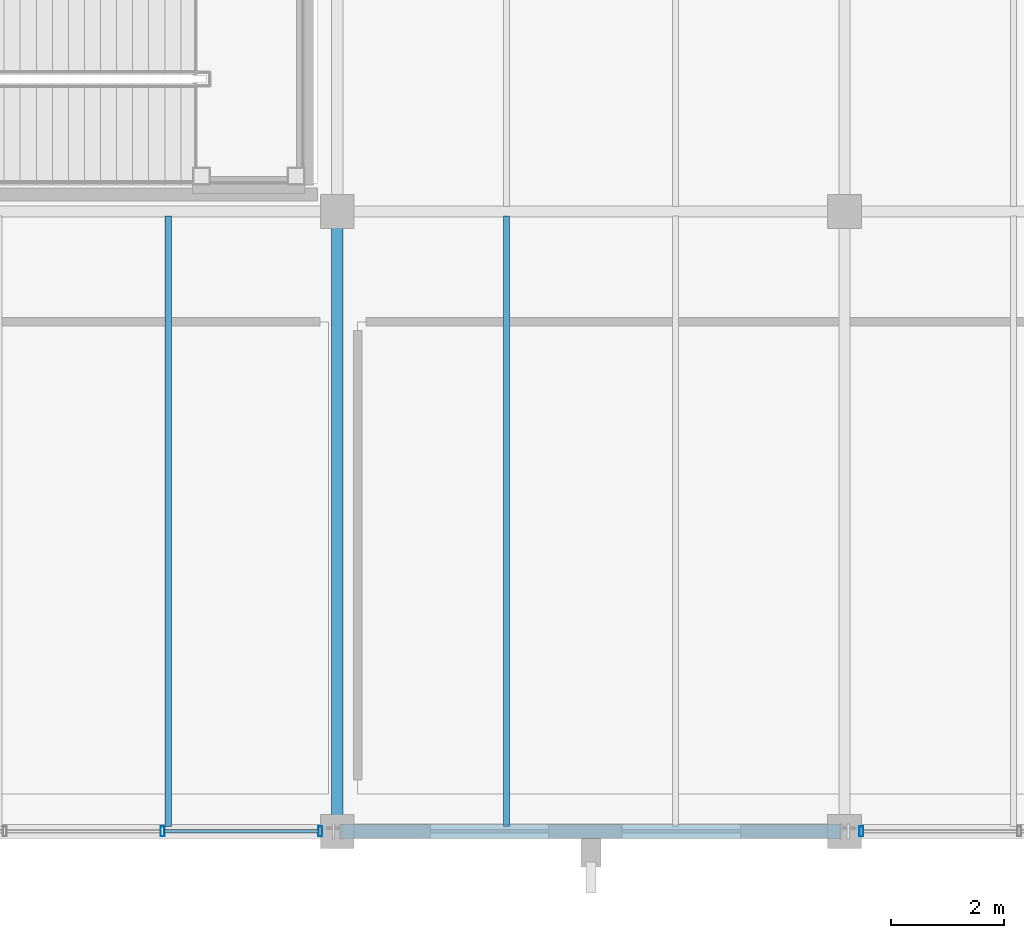
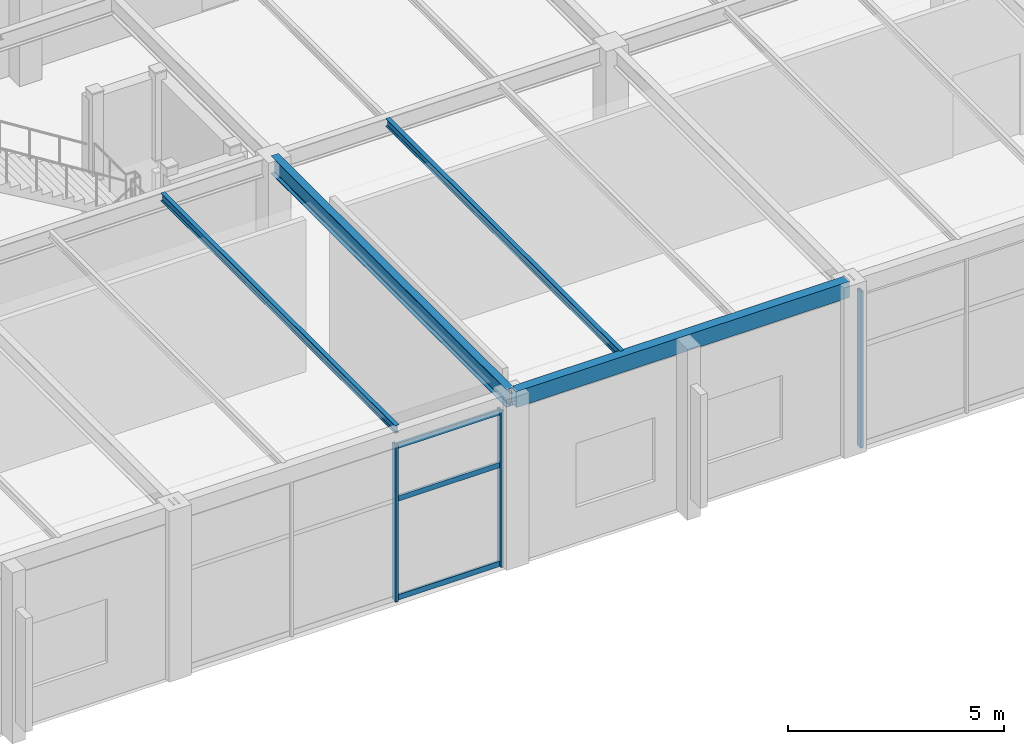
# One storey, part 55 of 143: 6 members, 4 beams, 2 elements without a shape of their own.
"""IFC4 building model written with IfcOpenShell, lengths in metres."""

from ifc_helpers import new_model, si_unit, direction, frame, origin, origin_2d, place, context, subcontext, project, spatial, hollow_rectangle, i_section, extrude, material, layer, layer_set, material_profile, profile_set, type_object, element, aggregate, save


model = new_model("IFC4")

# Units and contexts
model_context = context("Model", 3, precision=1e-05, world=origin(), true_north=direction((0.0, 1.0)))
body_context = subcontext(model_context, "Body", "Model", "MODEL_VIEW")
ifc_project = project(units=[si_unit("LENGTHUNIT", "METRE"), si_unit("AREAUNIT", "SQUARE_METRE"), si_unit("VOLUMEUNIT", "CUBIC_METRE"), si_unit("PLANEANGLEUNIT", "RADIAN"), si_unit("MASSUNIT", "GRAM", prefix="KILO")], contexts=[model_context])

# Site, building, storey
site_placement = place(None, origin())
site = spatial("IfcSite", under=ifc_project, at=site_placement, CompositionType="ELEMENT")
building_placement = place(site_placement, origin())
building = spatial("IfcBuilding", under=site, at=building_placement, Name="Marlcrest Central Station", CompositionType="ELEMENT")
storey_placement = place(building_placement, frame((0.0, 0.0, 4.800048828125)))
storey = spatial("IfcBuildingStorey", under=building, at=storey_placement, Name="L01", CompositionType="ELEMENT", Elevation=4.800048828125)

# Beams
ifc_material_1 = material(Name="Steel S355", Category="steel")
ifc_material_profile_1 = material_profile(ifc_material_1, i_section(OverallWidth=0.199951171875, OverallDepth=0.5, WebThickness=0.01025390625, FlangeThickness=0.01611328125, FilletRadius=0.02099609375, at=origin_2d()), Name="IPE 500")
ifc_profile_set_1 = profile_set([ifc_material_profile_1], Name="Steel S355")
beam_type_1 = type_object("IfcBeamType", Name="BM-05", PredefinedType="BEAM", material=ifc_profile_set_1)
beam_1_placement = place(storey_placement, frame((180.0, 0.06005859375, 4.56494140625), z_axis=(0.0, 1.0, 0.0), x_axis=(-1.0, 0.0, 0.0)))
element("IfcBeam", 1, at=beam_1_placement, inside=storey, type_object=beam_type_1, Name="bm-BM-05-L01-00896", PredefinedType="BEAM", context=body_context, shape_type="SweptSolid", body=[
    extrude(i_section(OverallWidth=0.199951171875, OverallDepth=0.5, WebThickness=0.01025390625, FlangeThickness=0.01611328125, FilletRadius=0.02099609375, at=origin_2d()), origin(), (0.0, 0.0, 1.0), 10.8798828125),
])
ifc_material_profile_2 = material_profile(ifc_material_1, i_section(OverallWidth=0.110107421875, OverallDepth=0.219970703125, WebThickness=0.005859375, FlangeThickness=0.00927734375, FilletRadius=0.011962890625, at=origin_2d()), Name="IPE 220")
ifc_profile_set_2 = profile_set([ifc_material_profile_2], Name="Steel S355")
beam_type_2 = type_object("IfcBeamType", Name="JS-02", PredefinedType="JOIST", material=ifc_profile_set_2)
for number, where, z_axis, x_axis, name in (
    (2, (177.0, 0.0830078125, 4.704833984375), (0.0, 1.0, 0.0), (-1.0, 0.0, 0.0), "bm-JS-02-L01-00926"),
    (3, (183.0, 0.0830078125, 4.704833984375), (0.0, 1.0, 0.0), (-1.0, 0.0, 0.0), "bm-JS-02-L01-00929"),
):
    element("IfcBeam", number, at=place(storey_placement, frame(where, z_axis=z_axis, x_axis=x_axis)), inside=storey, type_object=beam_type_2, Name=name, PredefinedType="JOIST", context=body_context, shape_type="SweptSolid", body=[
        extrude(i_section(OverallWidth=0.110107421875, OverallDepth=0.219970703125, WebThickness=0.005859375, FlangeThickness=0.00927734375, FilletRadius=0.011962890625, at=origin_2d()), origin(), (0.0, 0.0, 1.0), 10.833984375),
    ])

# Curtain wall, members
ifc_material_2 = material(Name="Anodised aluminium and hurricane laminated glass", Category="aluminium")
ifc_layer = layer(ifc_material_2, 0.179931640625, Name="CW-S1")
ifc_layer_set = layer_set([ifc_layer], Name="Anodised aluminium and hurricane laminated glass")
curtain_wall_type = type_object("IfcCurtainWallType", Name="CW-S1", PredefinedType="USERDEFINED", material=ifc_layer_set)
curtain_wall_1_placement = place(storey_placement, origin())
curtain_wall_1 = element("IfcCurtainWall", 4, at=curtain_wall_1_placement, inside=storey, type_object=curtain_wall_type, Name="cw-L01-0150", ObjectType="STICK_CURTAIN_WALL", PredefinedType="USERDEFINED")
ifc_material_3 = material(Name="Anodised aluminium 6063-T6", Category="aluminium")
ifc_material_profile_3 = material_profile(ifc_material_3, hollow_rectangle(XDim=0.070068359375, YDim=0.179931640625, WallThickness=0.0048828125, at=origin_2d()), Name="AA-RHS 180x70x5")
ifc_profile_set_3 = profile_set([ifc_material_profile_3], Name="Anodised aluminium 6063-T6")
member_type_1 = type_object("IfcMemberType", Name="ML-02", PredefinedType="MULLION", material=ifc_profile_set_3)
member_1_placement = place(storey_placement, frame((179.699951171875, 0.0, -0.030029296875), z_axis=(0.0, 0.0, 1.0), x_axis=(1.0, 0.0, 0.0)))
member_1 = element("IfcMember", 5, at=member_1_placement, type_object=member_type_1, Name="cw-L01-0150-ml-0", PredefinedType="MULLION", context=body_context, shape_type="SweptSolid", body=[
    extrude(hollow_rectangle(XDim=0.070068359375, YDim=0.179931640625, WallThickness=0.0048828125, at=origin_2d()), origin(), (0.0, 0.0, 1.0), 4.409912109375),
])
member_2_placement = place(storey_placement, frame((176.89990234375, 0.0, -0.030029296875), z_axis=(0.0, 0.0, 1.0), x_axis=(1.0, 0.0, 0.0)))
member_2 = element("IfcMember", 6, at=member_2_placement, type_object=member_type_1, Name="cw-L01-0150-ml-1", PredefinedType="MULLION", context=body_context, shape_type="SweptSolid", body=[
    extrude(hollow_rectangle(XDim=0.070068359375, YDim=0.179931640625, WallThickness=0.0048828125, at=origin_2d()), origin(), (0.0, 0.0, 1.0), 4.409912109375),
])

# Curtain wall, member
curtain_wall_2_placement = place(storey_placement, origin())
curtain_wall_2 = element("IfcCurtainWall", 7, at=curtain_wall_2_placement, inside=storey, type_object=curtain_wall_type, Name="cw-L01-0151", ObjectType="STICK_CURTAIN_WALL", PredefinedType="USERDEFINED")
member_3_placement = place(storey_placement, frame((189.300048828125, 0.0, -0.030029296875), z_axis=(0.0, 0.0, 1.0), x_axis=(1.0, 0.0, 0.0)))
member_3 = element("IfcMember", 8, at=member_3_placement, type_object=member_type_1, Name="cw-L01-0151-ml-3", PredefinedType="MULLION", context=body_context, shape_type="SweptSolid", body=[
    extrude(hollow_rectangle(XDim=0.070068359375, YDim=0.179931640625, WallThickness=0.0048828125, at=origin_2d()), origin(), (0.0, 0.0, 1.0), 4.409912109375),
])
aggregate(curtain_wall_2, [member_3])

# Beam
ifc_material_profile_4 = material_profile(ifc_material_1, hollow_rectangle(XDim=0.25, YDim=0.449951171875, WallThickness=0.01611328125, at=origin_2d()), Name="RHS 450x250x16")
ifc_profile_set_4 = profile_set([ifc_material_profile_4], Name="Steel S355")
beam_type_3 = type_object("IfcBeamType", Name="SP-02", PredefinedType="SPANDREL", material=ifc_profile_set_4)
beam_2_placement = place(storey_placement, frame((180.06005859375, 0.0, 4.58984375), z_axis=(1.0, 0.0, 0.0), x_axis=(0.0, 1.0, 0.0)))
element("IfcBeam", 9, at=beam_2_placement, inside=storey, type_object=beam_type_3, Name="bm-SP-02-L01-00862", PredefinedType="SPANDREL", context=body_context, shape_type="SweptSolid", body=[
    extrude(hollow_rectangle(XDim=0.25, YDim=0.449951171875, WallThickness=0.01611328125, at=origin_2d()), origin(), (0.0, 0.0, 1.0), 8.8798828125),
])

# Member
ifc_material_profile_5 = material_profile(ifc_material_3, hollow_rectangle(XDim=0.06005859375, YDim=0.14990234375, WallThickness=0.00390625, at=origin_2d()), Name="AA-RHS 150x60x4")
ifc_profile_set_5 = profile_set([ifc_material_profile_5], Name="Anodised aluminium 6063-T6")
member_type_2 = type_object("IfcMemberType", Name="TR-01", PredefinedType="USERDEFINED", material=ifc_profile_set_5)
member_4_placement = place(storey_placement, frame((179.6669921875, 0.0, 0.0400390625), z_axis=(-1.0, 0.0, 0.0), x_axis=(0.0, -1.0, 0.0)))
member_4 = element("IfcMember", 10, at=member_4_placement, type_object=member_type_2, Name="cw-L01-0150-tr-0-sill", ObjectType="TRANSOM", PredefinedType="USERDEFINED", context=body_context, shape_type="SweptSolid", body=[
    extrude(hollow_rectangle(XDim=0.06005859375, YDim=0.14990234375, WallThickness=0.00390625, at=origin_2d()), origin(), (0.0, 0.0, 1.0), 2.73388671875),
])

member_5_placement = place(storey_placement, frame((179.6669921875, 0.0, 2.827880859375), z_axis=(-1.0, 0.0, 0.0), x_axis=(0.0, -1.0, 0.0)))
member_5 = element("IfcMember", 11, at=member_5_placement, type_object=member_type_2, Name="cw-L01-0150-tr-0-mid", ObjectType="TRANSOM", PredefinedType="USERDEFINED", context=body_context, shape_type="SweptSolid", body=[
    extrude(hollow_rectangle(XDim=0.06005859375, YDim=0.14990234375, WallThickness=0.00390625, at=origin_2d()), origin(), (0.0, 0.0, 1.0), 2.73388671875),
])

member_6_placement = place(storey_placement, frame((179.6669921875, 0.0, 4.31005859375), z_axis=(-1.0, 0.0, 0.0), x_axis=(0.0, -1.0, 0.0)))
member_6 = element("IfcMember", 12, at=member_6_placement, type_object=member_type_2, Name="cw-L01-0150-tr-0-head", ObjectType="TRANSOM", PredefinedType="USERDEFINED", context=body_context, shape_type="SweptSolid", body=[
    extrude(hollow_rectangle(XDim=0.06005859375, YDim=0.14990234375, WallThickness=0.00390625, at=origin_2d()), origin(), (0.0, 0.0, 1.0), 2.73388671875),
])

aggregate(curtain_wall_1, [member_1, member_2, member_4, member_5, member_6])

save(model, "model.ifc")
